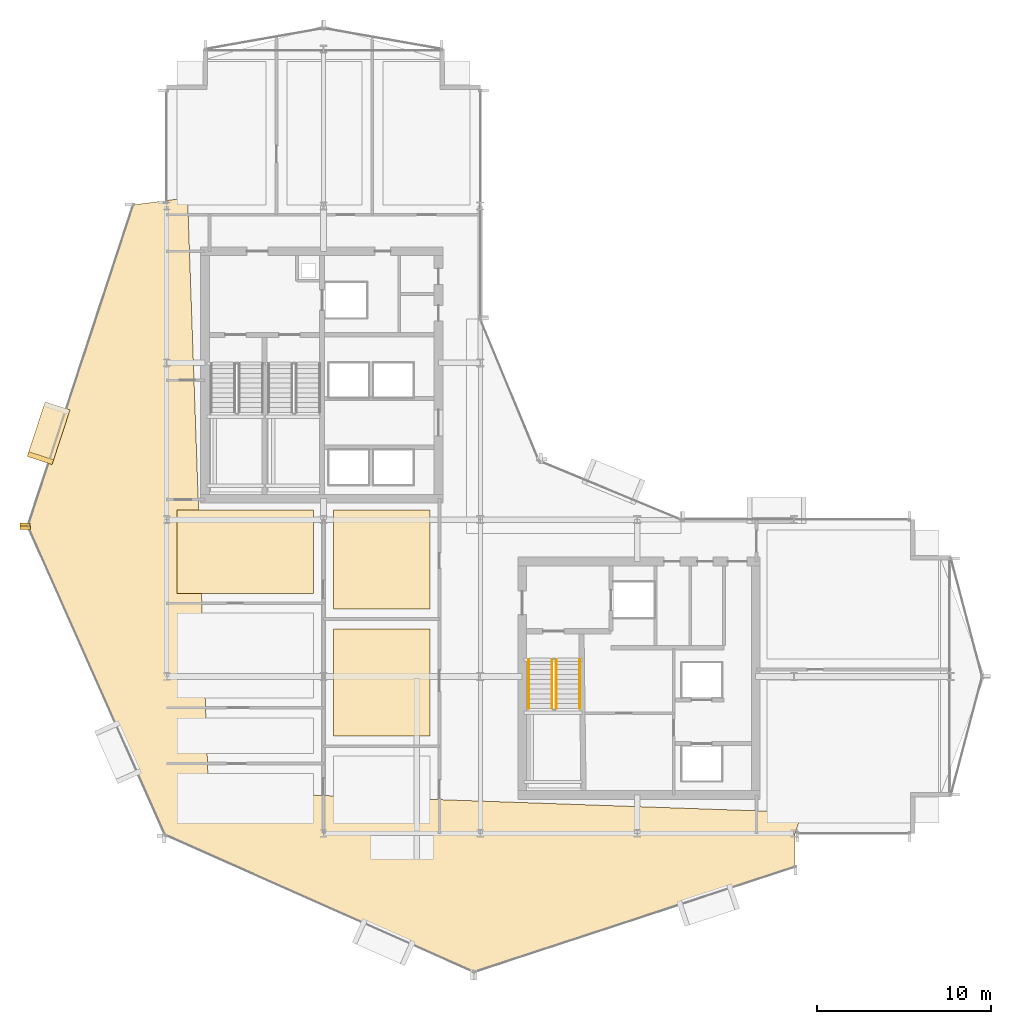
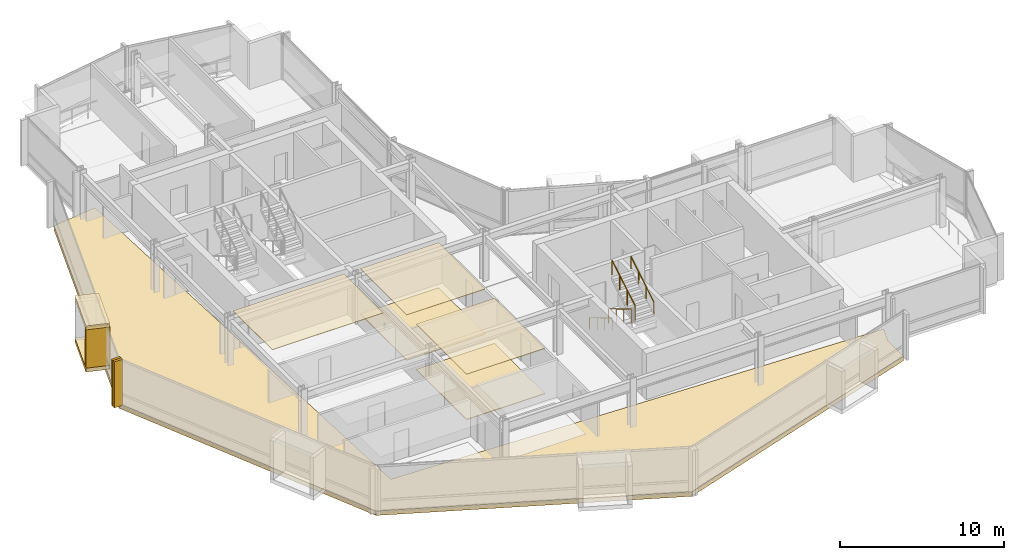
# One storey, part 26 of 29: 11 coverings, 4 railings.
"""IFC4 building model written with IfcOpenShell, lengths in metres."""

import ifcopenshell
import ifcopenshell.guid

model = None  # the IFC model being written
_history = None  # IfcOwnerHistory: only IFC2X3 demands one
_inside = {}  # id of a spatial element -> (the spatial element, [elements in it])
_under = {}  # id of a project, library or spatial element -> (it, [spatial elements below it])
_declared = {}  # id of a project -> (the project, [libraries it declares])
_typed = {}  # id of a type object -> (the type object, [elements of that type])
_made_of = {}  # id of a material, layer set ... -> (it, [elements and type objects made of it])


def new_model(schema):
    """Start an empty IFC model of exactly this schema.

    Asked for "IFC4X3", IfcOpenShell would pick the latest addendum, in which some entities
    have other attributes; the version numbers below select the first issue.
    IFC2X3 requires an IfcOwnerHistory on every rooted entity: one is made here for all.
    """
    global model, _history
    if schema == "IFC4X3":
        model = ifcopenshell.file(schema_version=(4, 3, 0, 0))
    else:
        model = ifcopenshell.file(schema=schema)
    _inside.clear()
    _under.clear()
    _declared.clear()
    _typed.clear()
    _made_of.clear()
    _history = None
    if model.schema == "IFC2X3":
        org = make("IfcOrganization", Name="unknown")
        user = make(
            "IfcPersonAndOrganization",
            ThePerson=make("IfcPerson", FamilyName="unknown"),
            TheOrganization=org,
        )
        app = make(
            "IfcApplication",
            ApplicationDeveloper=org,
            Version="unknown",
            ApplicationFullName="unknown",
            ApplicationIdentifier="unknown",
        )
        _history = make(
            "IfcOwnerHistory",
            OwningUser=user,
            OwningApplication=app,
            ChangeAction="ADDED",
            CreationDate=0,
        )
    return model


def make(cls, **values):
    """One entity of the class cls with the attributes given. An attribute that is None is left unset."""
    return model.create_entity(
        cls, **{name: value for name, value in values.items() if value is not None}
    )


def rooted(cls, **values):
    """An entity with a GlobalId (a new one), such as an element, a storey or a relation."""
    return make(cls, GlobalId=ifcopenshell.guid.new(), OwnerHistory=_history, **values)


def si_unit(unit_type, name, prefix=None):
    """IfcSIUnit, for example si_unit("LENGTHUNIT", "METRE", prefix="MILLI")."""
    return make("IfcSIUnit", UnitType=unit_type, Prefix=prefix, Name=name)


def assignment(units):
    """IfcUnitAssignment: the units of a project."""
    return None if units is None else make("IfcUnitAssignment", Units=units)


def point(xyz):
    """IfcCartesianPoint."""
    return None if xyz is None else make("IfcCartesianPoint", Coordinates=xyz)


def direction(xyz):
    """IfcDirection."""
    return None if xyz is None else make("IfcDirection", DirectionRatios=xyz)


def frame(location, z_axis=None, x_axis=None):
    """IfcAxis2Placement3D, a coordinate frame: its origin and axes. An axis left out is left unset."""
    return make(
        "IfcAxis2Placement3D",
        Location=point(location),
        Axis=direction(z_axis),
        RefDirection=direction(x_axis),
    )


def frame_2d(location, x_axis=None):
    """IfcAxis2Placement2D, a coordinate frame in the plane: its origin and x axis."""
    return make(
        "IfcAxis2Placement2D", Location=point(location), RefDirection=direction(x_axis)
    )


def origin():
    """The frame at (0, 0, 0) with its axes left unset."""
    return frame((0.0, 0.0, 0.0))


def origin_2d():
    """The frame at (0, 0) in the plane with its x axis left unset."""
    return frame_2d((0.0, 0.0))


def place(relative_to, where):
    """IfcLocalPlacement: puts the frame where relative to a parent placement (None: the world)."""
    return make(
        "IfcLocalPlacement", PlacementRelTo=relative_to, RelativePlacement=where
    )


def context(
    kind, dimensions, precision=None, world=None, true_north=None, identifier=None
):
    """IfcGeometricRepresentationContext, for example the 3D "Model" context."""
    return make(
        "IfcGeometricRepresentationContext",
        ContextIdentifier=identifier,
        ContextType=kind,
        CoordinateSpaceDimension=dimensions,
        Precision=precision,
        WorldCoordinateSystem=world,
        TrueNorth=true_north,
    )


def subcontext(parent, identifier, kind, view, scale=None):
    """IfcGeometricRepresentationSubContext, for example "Body" below "Model"."""
    return make(
        "IfcGeometricRepresentationSubContext",
        ContextIdentifier=identifier,
        ContextType=kind,
        ParentContext=parent,
        TargetScale=scale,
        TargetView=view,
    )


def project(units=None, contexts=None):
    """IfcProject with its units and contexts."""
    return rooted(
        "IfcProject",
        Name="project",
        RepresentationContexts=contexts,
        UnitsInContext=assignment(units),
    )


def spatial(cls, under=None, at=None, **own):
    """A site, building, storey or space (cls), placed at a placement, below another one or the project."""
    s = rooted(cls, ObjectPlacement=at, **own)
    if under is not None:
        _under.setdefault(under.id(), (under, []))[1].append(s)
    return s


def polyline(points):
    """IfcPolyline through the points."""
    return make("IfcPolyline", Points=[point(p) for p in points])


def profile(cls, at=None, kind="AREA", **sizes):
    """A parametric profile (cls). Its sizes go by their IFC names, for example OverallWidth=200.0."""
    return make(cls, ProfileType=kind, Position=at, **sizes)


def rectangle(**sizes):
    """IfcRectangleProfileDef."""
    return profile("IfcRectangleProfileDef", **sizes)


def circle(**sizes):
    """IfcCircleProfileDef."""
    return profile("IfcCircleProfileDef", **sizes)


def outline(outer, holes=None, kind="AREA"):
    """IfcArbitraryClosedProfileDef: a profile drawn as a closed curve; with holes, ...WithVoids."""
    if holes is None:
        return make("IfcArbitraryClosedProfileDef", ProfileType=kind, OuterCurve=outer)
    return make(
        "IfcArbitraryProfileDefWithVoids",
        ProfileType=kind,
        OuterCurve=outer,
        InnerCurves=holes,
    )


def extrude(swept, where, along, depth):
    """IfcExtrudedAreaSolid: the profile swept, set in the frame where, extruded along a direction by depth."""
    return make(
        "IfcExtrudedAreaSolid",
        SweptArea=swept,
        Position=where,
        ExtrudedDirection=direction(along),
        Depth=depth,
    )


def shape(context_of_items, identifier, shape_type, items):
    """IfcShapeRepresentation: the items that make up one representation, for example the "Body"."""
    return make(
        "IfcShapeRepresentation",
        ContextOfItems=context_of_items,
        RepresentationIdentifier=identifier,
        RepresentationType=shape_type,
        Items=items,
    )


def material(Name=None, Category=None):
    """IfcMaterial."""
    return make("IfcMaterial", Name=Name, Category=Category)


def layer(
    of_material, thickness, ventilated=None, Name=None, Category=None, Priority=None
):
    """IfcMaterialLayer: one layer of a wall or slab, of a material (None: an air gap)."""
    return make(
        "IfcMaterialLayer",
        Material=of_material,
        LayerThickness=thickness,
        IsVentilated=ventilated,
        Name=Name,
        Category=Category,
        Priority=Priority,
    )


def layer_set(layers, Name=None):
    """IfcMaterialLayerSet."""
    return make("IfcMaterialLayerSet", MaterialLayers=layers, LayerSetName=Name)


def made_of(thing, what):
    """Note that an element or type object is made of a material, layer set ...; save() writes the relation."""
    if what is not None:
        _made_of.setdefault(what.id(), (what, []))[1].append(thing)
    return thing


def type_object(cls, material=None, **own):
    """A type object (cls), such as IfcWallType, which elements share."""
    return made_of(rooted(cls, **own), material)


def element(
    cls,
    number,
    at=None,
    inside=None,
    cuts=None,
    type_object=None,
    material=None,
    context=None,
    identifier="Body",
    shape_type=None,
    held_by="IfcProductDefinitionShape",
    body=None,
    shapes=None,
    **own,
):
    """One element of the class cls, such as IfcWall. Its Tag is "e" and its number.

    at: its placement. inside: the storey or other place that contains it. cuts: it is an
    opening in that element (IfcRelVoidsElement). A single representation is given by context,
    identifier, shape_type and body (its items); several are given by shapes. held_by: the class
    of the entity that holds the representations. save() writes the other relations.
    """
    e = rooted(cls, Tag="e%d" % number, ObjectPlacement=at, **own)
    if body is not None:
        shapes = [shape(context, identifier, shape_type, body)]
    if shapes is not None:
        e.Representation = make(held_by, Representations=shapes)
    if inside is not None:
        _inside.setdefault(inside.id(), (inside, []))[1].append(e)
    if cuts is not None:
        rooted(
            "IfcRelVoidsElement", RelatingBuildingElement=cuts, RelatedOpeningElement=e
        )
    if type_object is not None:
        _typed.setdefault(type_object.id(), (type_object, []))[1].append(e)
    return made_of(e, material)


def aggregate(whole, parts):
    """IfcRelAggregates: a whole, such as a stair, and the parts it consists of."""
    return rooted("IfcRelAggregates", RelatingObject=whole, RelatedObjects=parts)


def save(model, path):
    """Write the relations noted so far, then the file.

    IfcRelAggregates (storeys below a building ...), IfcRelContainedInSpatialStructure (elements
    in a storey), IfcRelDefinesByType, IfcRelAssociatesMaterial and IfcRelDeclares: one each for
    every whole, place, type object, material and project.
    """
    for whole, parts in _under.values():
        aggregate(whole, parts)
    for where, things in _inside.values():
        rooted(
            "IfcRelContainedInSpatialStructure",
            RelatedElements=things,
            RelatingStructure=where,
        )
    for kind, things in _typed.values():
        rooted("IfcRelDefinesByType", RelatedObjects=things, RelatingType=kind)
    for what, things in _made_of.values():
        rooted("IfcRelAssociatesMaterial", RelatedObjects=things, RelatingMaterial=what)
    for by, libraries in _declared.values():
        rooted("IfcRelDeclares", RelatingContext=by, RelatedDefinitions=libraries)
    model.write(path)


model = new_model("IFC4")

# Units and contexts
model_context = context("Model", 3, precision=1e-05, world=origin(), true_north=direction((0.0, 1.0)))
body_context = subcontext(model_context, "Body", "Model", "MODEL_VIEW")
ifc_project = project(units=[si_unit("LENGTHUNIT", "METRE"), si_unit("AREAUNIT", "SQUARE_METRE"), si_unit("VOLUMEUNIT", "CUBIC_METRE"), si_unit("PLANEANGLEUNIT", "RADIAN"), si_unit("MASSUNIT", "GRAM", prefix="KILO")], contexts=[model_context])

# Site, building, storey
site_placement = place(None, origin())
site = spatial("IfcSite", under=ifc_project, at=site_placement, CompositionType="ELEMENT")
building_placement = place(site_placement, origin())
building = spatial("IfcBuilding", under=site, at=building_placement, Name="Solvaryn Broadcast Tower", CompositionType="ELEMENT")
storey_placement = place(building_placement, frame((0.0, 0.0, 128.5)))
storey = spatial("IfcBuildingStorey", under=building, at=storey_placement, Name="L31", CompositionType="ELEMENT", Elevation=128.5)

# Coverings
ifc_material_1 = material(Name="Micro-Perforated Acoustic Gypsum Ceiling", Category="concrete")
ifc_layer_1 = layer(ifc_material_1, 0.0400390625)
ifc_layer_set_1 = layer_set([ifc_layer_1], Name="CV-CEIL-ACOUSTIC")
covering_type_1 = type_object("IfcCoveringType", Name="CV-CEIL-ACOUSTIC", PredefinedType="CEILING", material=ifc_layer_set_1)
covering_1_placement = place(storey_placement, frame((0.0, 0.0, 3.3798828125)))
element("IfcCovering", 1, at=covering_1_placement, inside=storey, type_object=covering_type_1, Name="L31 Room Acoustic Ceiling 2", PredefinedType="CEILING", context=body_context, shape_type="SweptSolid", body=[
    extrude(outline(polyline([(18.570068359375, 14.570068359375), (24.10009765625, 14.570068359375), (24.10009765625, 20.72998046875), (18.570068359375, 20.72998046875), (18.570068359375, 14.570068359375)])), origin(), (0.0, 0.0, 1.0), 0.0400390625),
])
covering_2_placement = place(storey_placement, frame((0.0, 0.0, 3.3798828125)))
element("IfcCovering", 2, at=covering_2_placement, inside=storey, type_object=covering_type_1, Name="L31 Room Acoustic Ceiling 3", PredefinedType="CEILING", context=body_context, shape_type="SweptSolid", body=[
    extrude(outline(polyline([(18.570068359375, 21.8701171875), (24.10009765625, 21.8701171875), (24.10009765625, 27.56005859375), (18.570068359375, 27.56005859375), (18.570068359375, 21.8701171875)])), origin(), (0.0, 0.0, 1.0), 0.0400390625),
])
covering_3_placement = place(storey_placement, frame((0.0, 0.0, 3.3798828125)))
element("IfcCovering", 3, at=covering_3_placement, inside=storey, type_object=covering_type_1, Name="L31 Room Acoustic Ceiling 7", PredefinedType="CEILING", context=body_context, shape_type="SweptSolid", body=[
    extrude(outline(polyline([(9.60009765625, 22.77001953125), (17.429931640625, 22.77001953125), (17.429931640625, 27.56005859375), (9.60009765625, 27.56005859375), (9.60009765625, 22.77001953125)])), origin(), (0.0, 0.0, 1.0), 0.0400390625),
])
ifc_material_2 = material(Name="Newsroom Raised Data Access Flooring", Category="steel")
ifc_layer_2 = layer(ifc_material_2, 0.050048828125)
ifc_layer_set_2 = layer_set([ifc_layer_2], Name="CV-FLOOR-RAISED")
covering_type_2 = type_object("IfcCoveringType", Name="CV-FLOOR-RAISED", PredefinedType="FLOORING", material=ifc_layer_set_2)
covering_4_placement = place(storey_placement, origin())
element("IfcCovering", 4, at=covering_4_placement, inside=storey, type_object=covering_type_2, Name="L31 Room Acoustic Floor Finish 2", PredefinedType="FLOORING", context=body_context, shape_type="SweptSolid", body=[
    extrude(outline(polyline([(18.570068359375, 14.570068359375), (24.10009765625, 14.570068359375), (24.10009765625, 20.72998046875), (18.570068359375, 20.72998046875), (18.570068359375, 14.570068359375)])), origin(), (0.0, 0.0, 1.0), 0.050048828125),
])
covering_5_placement = place(storey_placement, origin())
element("IfcCovering", 5, at=covering_5_placement, inside=storey, type_object=covering_type_2, Name="L31 Room Acoustic Floor Finish 3", PredefinedType="FLOORING", context=body_context, shape_type="SweptSolid", body=[
    extrude(outline(polyline([(18.570068359375, 21.8701171875), (24.10009765625, 21.8701171875), (24.10009765625, 27.56005859375), (18.570068359375, 27.56005859375), (18.570068359375, 21.8701171875)])), origin(), (0.0, 0.0, 1.0), 0.050048828125),
])
ifc_material_3 = material(Name="Glazed Architectural Terracotta Rainscreen Cladding", Category="masonry")
ifc_layer_3 = layer(ifc_material_3, 0.280029296875)
ifc_layer_set_3 = layer_set([ifc_layer_3], Name="CV-TC-CLAD")
covering_type_3 = type_object("IfcCoveringType", Name="CV-TC-CLAD", PredefinedType="CLADDING", material=ifc_layer_set_3)
for number, where, z_axis, x_axis, name in (
    (6, (2.222900390625, 31.9619140625, 3.1298828125), (0.0, 0.0, 1.0), (-0.311671636848, -0.950189870912, 0.0), "L31 Projecting Stone Window Box Hood 1"),
    (7, (2.222900390625, 31.9619140625, -0.01025390625), (0.0, 0.0, 1.0), (-0.311671636848, -0.950189870912, 0.0), "L31 Projecting Stone Window Box Sill 1"),
):
    element("IfcCovering", number, at=place(storey_placement, frame(where, z_axis=z_axis, x_axis=x_axis)), inside=storey, type_object=covering_type_3, Name=name, PredefinedType="CLADDING", context=body_context, shape_type="SweptSolid", body=[
        extrude(rectangle(XDim=3.300048828125, YDim=1.5, at=origin_2d()), origin(), (0.0, 0.0, 1.0), 0.300048828125),
    ])
covering_6_placement = place(storey_placement, frame((1.75244140625, 30.527099609375, 0.27978515625), z_axis=(0.0, 0.0, 1.0), x_axis=(-0.311671636848, -0.950189870912, 0.0)))
element("IfcCovering", 8, at=covering_6_placement, inside=storey, type_object=covering_type_3, Name="L31 Projecting Stone Window Box Cheek 1-2", PredefinedType="CLADDING", context=body_context, shape_type="SweptSolid", body=[
    extrude(rectangle(XDim=0.280029296875, YDim=1.5, at=origin_2d()), origin(), (0.0, 0.0, 1.0), 2.860107421875),
])
ifc_material_4 = material(Name="Extruded Architectural Terracotta Fin", Category="masonry")
ifc_layer_4 = layer(ifc_material_4, 0.179931640625)
ifc_layer_set_4 = layer_set([ifc_layer_4], Name="CV-TC-FIN")
covering_type_4 = type_object("IfcCoveringType", Name="CV-TC-FIN", PredefinedType="USERDEFINED", material=ifc_layer_set_4)
for number, where, z_axis, x_axis, name in (
    (9, (0.872314453125, 26.720703125, 0.0), (0.0, 0.0, 1.0), (1.0, 0.0, 0.0), "L31 Terracotta Vertical Fin FIN-L31-DR1-M01"),
    (10, (0.8818359375, 26.535888671875, 0.0), (0.0, 0.0, 1.0), (1.0, 0.0, 0.0), "L31 Terracotta Vertical Fin FIN-L31-DR2-M00"),
):
    element("IfcCovering", number, at=place(storey_placement, frame(where, z_axis=z_axis, x_axis=x_axis)), inside=storey, type_object=covering_type_4, Name=name, ObjectType="FIN", PredefinedType="USERDEFINED", context=body_context, shape_type="SweptSolid", body=[
        extrude(rectangle(XDim=0.580078125, YDim=0.179931640625, at=origin_2d()), origin(), (0.0, 0.0, 1.0), 3.419921875),
    ])
ifc_material_5 = material(Name="Sculpted Architectural Terracotta Wave Fascia", Category="masonry")
ifc_layer_5 = layer(ifc_material_5, 0.340087890625)
ifc_layer_set_5 = layer_set([ifc_layer_5], Name="CV-WAVE-TRAY")
covering_type_5 = type_object("IfcCoveringType", Name="CV-WAVE-TRAY", PredefinedType="CLADDING", material=ifc_layer_set_5)
covering_7_placement = place(storey_placement, frame((0.0, 0.0, -0.300048828125)))
element("IfcCovering", 11, at=covering_7_placement, inside=storey, type_object=covering_type_5, Name="L31 Stepped Cylindrical Drum Floor Apron", PredefinedType="CLADDING", context=body_context, shape_type="SweptSolid", body=[
    extrude(outline(polyline([(10.199951171875, 45.467041015625), (7.0791015625, 45.06689453125), (1.033935546875, 26.635986328125), (8.907958984375, 8.907958984375), (26.635986328125, 1.033935546875), (45.06689453125, 7.0791015625), (45.06689453125, 9.0), (45.467041015625, 10.199951171875), (11.39990234375, 11.39990234375), (10.199951171875, 45.467041015625)])), origin(), (0.0, 0.0, 1.0), 0.330078125),
])

# Railings
ifc_material_6 = material(Name="Painted Steel Stair Well Guard", Category="steel")
railing_type_1 = type_object("IfcRailingType", Name="RL-STAIR-GUARD", PredefinedType="BALUSTRADE", material=ifc_material_6)
railing_1_placement = place(storey_placement, frame((31.110107421875, 18.9599609375, 0.168212890625)))
element("IfcRailing", 12, at=railing_1_placement, inside=storey, type_object=railing_type_1, Name="L31 ST3 stair guard 1", PredefinedType="BALUSTRADE", context=body_context, shape_type="SweptSolid", body=[
    extrude(circle(Radius=0.02392578125, at=origin_2d()), frame((0.0, 0.0, 1.076171875), z_axis=(0.0, -0.857242210791, 0.514913383045), x_axis=(1.0, 0.0, 0.0)), (0.0, 0.0, 1.0), 3.266357421875),
    extrude(circle(Radius=0.02099609375, at=origin_2d()), origin(), (0.0, 0.0, 1.0), 1.052001953125),
    extrude(circle(Radius=0.02099609375, at=origin_2d()), frame((0.0, -0.933349609375, 0.560546875)), (0.0, 0.0, 1.0), 1.052001953125),
    extrude(circle(Radius=0.02099609375, at=origin_2d()), frame((0.0, -1.86669921875, 1.121337890625)), (0.0, 0.0, 1.0), 1.052001953125),
    extrude(circle(Radius=0.02099609375, at=origin_2d()), frame((0.0, -2.800048828125, 1.681884765625)), (0.0, 0.0, 1.0), 1.052001953125),
])
railing_2_placement = place(storey_placement, frame((31.360107421875, 16.159912109375, 2.01806640625)))
element("IfcRailing", 13, at=railing_2_placement, inside=storey, type_object=railing_type_1, Name="L31 ST3 stair guard 3", PredefinedType="BALUSTRADE", context=body_context, shape_type="SweptSolid", body=[
    extrude(circle(Radius=0.02392578125, at=origin_2d()), frame((0.0, 0.0, 1.076171875), z_axis=(0.0, 0.857242210791, 0.514913383045), x_axis=(-1.0, 0.0, 0.0)), (0.0, 0.0, 1.0), 3.266357421875),
    extrude(circle(Radius=0.02099609375, at=origin_2d()), origin(), (0.0, 0.0, 1.0), 1.052001953125),
    extrude(circle(Radius=0.02099609375, at=origin_2d()), frame((0.0, 0.933349609375, 0.560546875)), (0.0, 0.0, 1.0), 1.052001953125),
    extrude(circle(Radius=0.02099609375, at=origin_2d()), frame((0.0, 1.86669921875, 1.121337890625)), (0.0, 0.0, 1.0), 1.052001953125),
    extrude(circle(Radius=0.02099609375, at=origin_2d()), frame((0.0, 2.800048828125, 1.681884765625)), (0.0, 0.0, 1.0), 1.052001953125),
])
ifc_material_7 = material(Name="Brushed Stainless Steel Tubular Handrail", Category="steel")
railing_type_2 = type_object("IfcRailingType", Name="RL-STAIR-HANDRAIL", PredefinedType="HANDRAIL", material=ifc_material_7)
railing_3_placement = place(storey_placement, frame((29.77001953125, 18.9599609375, 0.168212890625)))
element("IfcRailing", 14, at=railing_3_placement, inside=storey, type_object=railing_type_2, Name="L31 ST3 stair handrail 1", PredefinedType="HANDRAIL", context=body_context, shape_type="SweptSolid", body=[
    extrude(circle(Radius=0.02392578125, at=origin_2d()), frame((0.0, 0.0, 0.8759765625), z_axis=(0.0, -0.857242210791, 0.514913383045), x_axis=(1.0, 0.0, 0.0)), (0.0, 0.0, 1.0), 3.266357421875),
    extrude(circle(Radius=0.02099609375, at=origin_2d()), origin(), (0.0, 0.0, 1.0), 0.851806640625),
    extrude(circle(Radius=0.02099609375, at=origin_2d()), frame((0.0, -0.933349609375, 0.560546875)), (0.0, 0.0, 1.0), 0.851806640625),
    extrude(circle(Radius=0.02099609375, at=origin_2d()), frame((0.0, -1.86669921875, 1.121337890625)), (0.0, 0.0, 1.0), 0.851806640625),
    extrude(circle(Radius=0.02099609375, at=origin_2d()), frame((0.0, -2.800048828125, 1.681884765625)), (0.0, 0.0, 1.0), 0.851806640625),
])
railing_4_placement = place(storey_placement, frame((32.699951171875, 16.159912109375, 2.01806640625)))
element("IfcRailing", 15, at=railing_4_placement, inside=storey, type_object=railing_type_2, Name="L31 ST3 stair handrail 2", PredefinedType="HANDRAIL", context=body_context, shape_type="SweptSolid", body=[
    extrude(circle(Radius=0.02392578125, at=origin_2d()), frame((0.0, 0.0, 0.8759765625), z_axis=(0.0, 0.857242210791, 0.514913383045), x_axis=(-1.0, 0.0, 0.0)), (0.0, 0.0, 1.0), 3.266357421875),
    extrude(circle(Radius=0.02099609375, at=origin_2d()), origin(), (0.0, 0.0, 1.0), 0.851806640625),
    extrude(circle(Radius=0.02099609375, at=origin_2d()), frame((0.0, 0.933349609375, 0.560546875)), (0.0, 0.0, 1.0), 0.851806640625),
    extrude(circle(Radius=0.02099609375, at=origin_2d()), frame((0.0, 1.86669921875, 1.121337890625)), (0.0, 0.0, 1.0), 0.851806640625),
    extrude(circle(Radius=0.02099609375, at=origin_2d()), frame((0.0, 2.800048828125, 1.681884765625)), (0.0, 0.0, 1.0), 0.851806640625),
])

save(model, "model.ifc")
